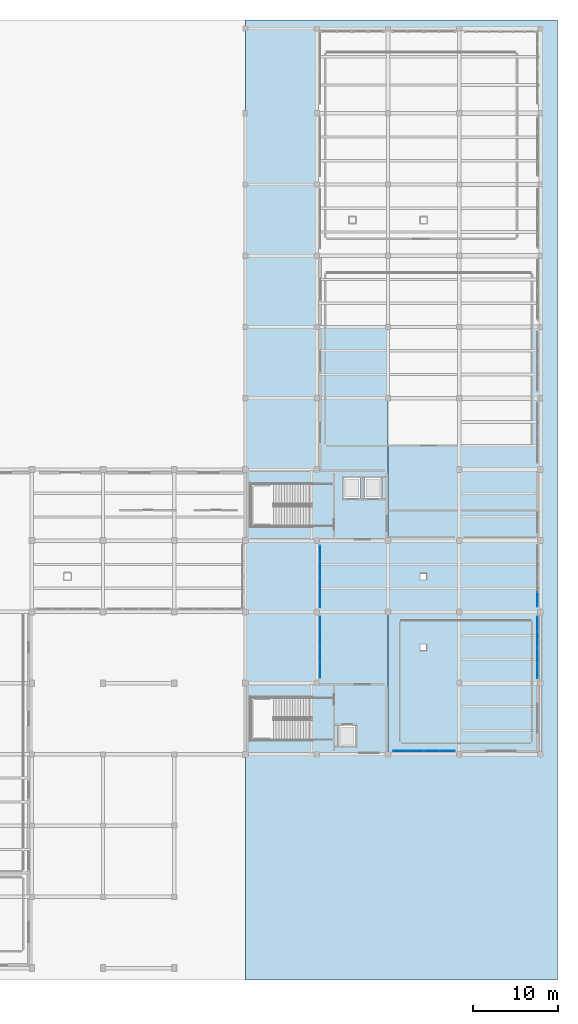
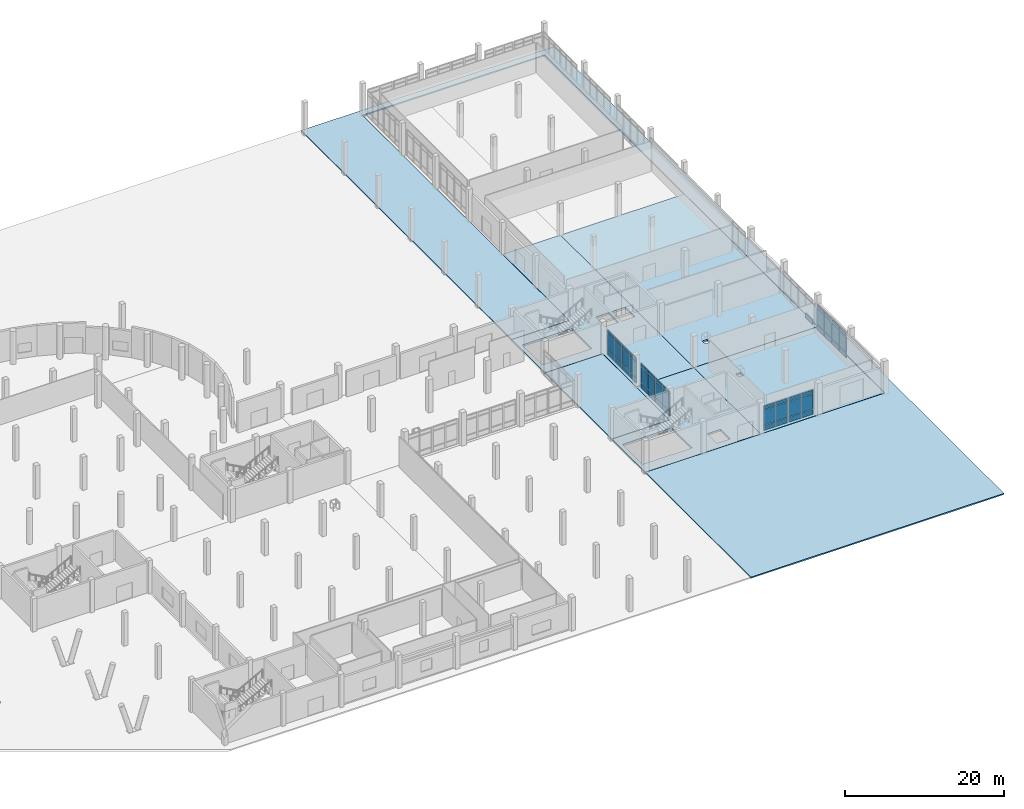
# One storey, part 40 of 64: 49 plates, 6 slabs, 9 elements without a shape of their own.
"""IFC4 building model written with IfcOpenShell, lengths in metres."""

from ifc_helpers import new_model, si_unit, derived_unit, direction, frame, origin, origin_2d, place, context, subcontext, project, spatial, polyline, rectangle, outline, extrude, material, layer, layer_set, type_object, element, aggregate, save


model = new_model("IFC4")

# Units and contexts
model_context = context("Model", 3, precision=1e-05, world=origin(), true_north=direction((0.0, 1.0)))
body_context = subcontext(model_context, "Body", "Model", "MODEL_VIEW")
ifc_project = project(units=[si_unit("LENGTHUNIT", "METRE"), si_unit("AREAUNIT", "SQUARE_METRE"), si_unit("VOLUMEUNIT", "CUBIC_METRE"), si_unit("PLANEANGLEUNIT", "RADIAN"), si_unit("MASSUNIT", "GRAM", prefix="KILO"), derived_unit("THERMALTRANSMITTANCEUNIT", [(si_unit("POWERUNIT", "WATT"), 1), (si_unit("LENGTHUNIT", "METRE"), -2), (si_unit("THERMODYNAMICTEMPERATUREUNIT", "KELVIN"), -1)])], contexts=[model_context])

# Site, building, storey
site_placement = place(None, origin())
site = spatial("IfcSite", under=ifc_project, at=site_placement, CompositionType="ELEMENT")
building_placement = place(site_placement, origin())
building = spatial("IfcBuilding", under=site, at=building_placement, Name="Elbkamm Science Centre", CompositionType="ELEMENT")
storey_placement = place(building_placement, origin())
storey = spatial("IfcBuildingStorey", under=building, at=storey_placement, Name="L00", CompositionType="ELEMENT", Elevation=0.0)

# Curtain wall, plate
ifc_material_1 = material(Name="Powder-coated aluminium and triple low-E glazing", Category="aluminium")
ifc_layer_1 = layer(ifc_material_1, 0.159912109375)
ifc_layer_set_1 = layer_set([ifc_layer_1], Name="Powder-coated aluminium and triple low-E glazing")
curtain_wall_type_1 = type_object("IfcCurtainWallType", Name="CW-UNIT-3640x3960", PredefinedType="USERDEFINED", material=ifc_layer_set_1)
curtain_wall_1_placement = place(storey_placement, origin())
curtain_wall_1 = element("IfcCurtainWall", 1, at=curtain_wall_1_placement, inside=storey, type_object=curtain_wall_type_1, Name="L00 Unitised Curtain Wall 127", ObjectType="UNITISED CURTAIN WALL", PredefinedType="USERDEFINED")
ifc_material_2 = material(Name="Triple solar-control insulated safety glass", Category="glass")
ifc_layer_2 = layer(ifc_material_2, 0.048095703125)
ifc_layer_set_2 = layer_set([ifc_layer_2], Name="Triple solar-control insulated safety glass")
plate_type = type_object("IfcPlateType", Name="CW-PNL-48", PredefinedType="CURTAIN_PANEL", material=ifc_layer_set_2)
plate_1_placement = place(storey_placement, frame((160.419921875, 43.476318359375, 0.06982421875), z_axis=(0.0, 0.0, 1.0), x_axis=(0.0, -1.0, 0.0)))
plate_1 = element("IfcPlate", 2, at=plate_1_placement, type_object=plate_type, Name="CW-063 panel 2.1", PredefinedType="CURTAIN_PANEL", context=body_context, shape_type="SweptSolid", body=[
    extrude(rectangle(XDim=1.716552734375, YDim=0.048095703125, at=origin_2d()), origin(), (0.0, 0.0, 1.0), 0.7451171875),
])
aggregate(curtain_wall_1, [plate_1])

# Curtain wall, plates
ifc_layer_3 = layer(ifc_material_1, 0.159912109375)
ifc_layer_set_3 = layer_set([ifc_layer_3], Name="Powder-coated aluminium and triple low-E glazing")
curtain_wall_type_2 = type_object("IfcCurtainWallType", Name="CW-UNIT-3680x3960", PredefinedType="USERDEFINED", material=ifc_layer_set_3)
curtain_wall_2_placement = place(storey_placement, origin())
curtain_wall_2 = element("IfcCurtainWall", 3, at=curtain_wall_2_placement, inside=storey, type_object=curtain_wall_type_2, Name="L00 Unitised Curtain Wall 128", ObjectType="UNITISED CURTAIN WALL", PredefinedType="USERDEFINED")
plate_2_placement = place(storey_placement, frame((160.419921875, 40.577880859375, 0.06982421875), z_axis=(0.0, 0.0, 1.0), x_axis=(0.0, -1.0, 0.0)))
plate_2 = element("IfcPlate", 4, at=plate_2_placement, type_object=plate_type, Name="CW-064 panel 1.1", PredefinedType="CURTAIN_PANEL", context=body_context, shape_type="SweptSolid", body=[
    extrude(rectangle(XDim=1.73193359375, YDim=0.048095703125, at=origin_2d()), origin(), (0.0, 0.0, 1.0), 0.7451171875),
])
plate_3_placement = place(storey_placement, frame((160.419921875, 40.577880859375, 0.885009765625), z_axis=(0.0, 0.0, 1.0), x_axis=(0.0, -1.0, 0.0)))
plate_3 = element("IfcPlate", 5, at=plate_3_placement, type_object=plate_type, Name="CW-064 panel 1.2", PredefinedType="CURTAIN_PANEL", context=body_context, shape_type="SweptSolid", body=[
    extrude(rectangle(XDim=1.73193359375, YDim=0.048095703125, at=origin_2d()), origin(), (0.0, 0.0, 1.0), 2.3798828125),
])
plate_4_placement = place(storey_placement, frame((160.419921875, 40.577880859375, 3.3349609375), z_axis=(0.0, 0.0, 1.0), x_axis=(0.0, -1.0, 0.0)))
plate_4 = element("IfcPlate", 6, at=plate_4_placement, type_object=plate_type, Name="CW-064 panel 1.3", PredefinedType="CURTAIN_PANEL", context=body_context, shape_type="SweptSolid", body=[
    extrude(rectangle(XDim=1.73193359375, YDim=0.048095703125, at=origin_2d()), origin(), (0.0, 0.0, 1.0), 0.544921875),
])
plate_5_placement = place(storey_placement, frame((160.419921875, 38.77587890625, 0.06982421875), z_axis=(0.0, 0.0, 1.0), x_axis=(0.0, -1.0, 0.0)))
plate_5 = element("IfcPlate", 7, at=plate_5_placement, type_object=plate_type, Name="CW-064 panel 2.1", PredefinedType="CURTAIN_PANEL", context=body_context, shape_type="SweptSolid", body=[
    extrude(rectangle(XDim=1.73193359375, YDim=0.048095703125, at=origin_2d()), origin(), (0.0, 0.0, 1.0), 0.7451171875),
])
plate_6_placement = place(storey_placement, frame((160.419921875, 38.77587890625, 0.885009765625), z_axis=(0.0, 0.0, 1.0), x_axis=(0.0, -1.0, 0.0)))
plate_6 = element("IfcPlate", 8, at=plate_6_placement, type_object=plate_type, Name="CW-064 panel 2.2", PredefinedType="CURTAIN_PANEL", context=body_context, shape_type="SweptSolid", body=[
    extrude(rectangle(XDim=1.73193359375, YDim=0.048095703125, at=origin_2d()), origin(), (0.0, 0.0, 1.0), 2.3798828125),
])
plate_7_placement = place(storey_placement, frame((160.419921875, 38.77587890625, 3.3349609375), z_axis=(0.0, 0.0, 1.0), x_axis=(0.0, -1.0, 0.0)))
plate_7 = element("IfcPlate", 9, at=plate_7_placement, type_object=plate_type, Name="CW-064 panel 2.3", PredefinedType="CURTAIN_PANEL", context=body_context, shape_type="SweptSolid", body=[
    extrude(rectangle(XDim=1.73193359375, YDim=0.048095703125, at=origin_2d()), origin(), (0.0, 0.0, 1.0), 0.544921875),
])
aggregate(curtain_wall_2, [plate_2, plate_3, plate_4, plate_5, plate_6, plate_7])

curtain_wall_3_placement = place(storey_placement, origin())
curtain_wall_3 = element("IfcCurtainWall", 10, at=curtain_wall_3_placement, inside=storey, type_object=curtain_wall_type_2, Name="L00 Unitised Curtain Wall 129", ObjectType="UNITISED CURTAIN WALL", PredefinedType="USERDEFINED")
plate_8_placement = place(storey_placement, frame((160.419921875, 36.823974609375, 0.06982421875), z_axis=(0.0, 0.0, 1.0), x_axis=(0.0, -1.0, 0.0)))
plate_8 = element("IfcPlate", 11, at=plate_8_placement, type_object=plate_type, Name="CW-064 panel 1.1", PredefinedType="CURTAIN_PANEL", context=body_context, shape_type="SweptSolid", body=[
    extrude(rectangle(XDim=1.73193359375, YDim=0.048095703125, at=origin_2d()), origin(), (0.0, 0.0, 1.0), 0.7451171875),
])
plate_9_placement = place(storey_placement, frame((160.419921875, 36.823974609375, 0.885009765625), z_axis=(0.0, 0.0, 1.0), x_axis=(0.0, -1.0, 0.0)))
plate_9 = element("IfcPlate", 12, at=plate_9_placement, type_object=plate_type, Name="CW-064 panel 1.2", PredefinedType="CURTAIN_PANEL", context=body_context, shape_type="SweptSolid", body=[
    extrude(rectangle(XDim=1.73193359375, YDim=0.048095703125, at=origin_2d()), origin(), (0.0, 0.0, 1.0), 2.3798828125),
])
plate_10_placement = place(storey_placement, frame((160.419921875, 36.823974609375, 3.3349609375), z_axis=(0.0, 0.0, 1.0), x_axis=(0.0, -1.0, 0.0)))
plate_10 = element("IfcPlate", 13, at=plate_10_placement, type_object=plate_type, Name="CW-064 panel 1.3", PredefinedType="CURTAIN_PANEL", context=body_context, shape_type="SweptSolid", body=[
    extrude(rectangle(XDim=1.73193359375, YDim=0.048095703125, at=origin_2d()), origin(), (0.0, 0.0, 1.0), 0.544921875),
])
plate_11_placement = place(storey_placement, frame((160.419921875, 35.022216796875, 0.06982421875), z_axis=(0.0, 0.0, 1.0), x_axis=(0.0, -1.0, 0.0)))
plate_11 = element("IfcPlate", 14, at=plate_11_placement, type_object=plate_type, Name="CW-064 panel 2.1", PredefinedType="CURTAIN_PANEL", context=body_context, shape_type="SweptSolid", body=[
    extrude(rectangle(XDim=1.73193359375, YDim=0.048095703125, at=origin_2d()), origin(), (0.0, 0.0, 1.0), 0.7451171875),
])
plate_12_placement = place(storey_placement, frame((160.419921875, 35.022216796875, 0.885009765625), z_axis=(0.0, 0.0, 1.0), x_axis=(0.0, -1.0, 0.0)))
plate_12 = element("IfcPlate", 15, at=plate_12_placement, type_object=plate_type, Name="CW-064 panel 2.2", PredefinedType="CURTAIN_PANEL", context=body_context, shape_type="SweptSolid", body=[
    extrude(rectangle(XDim=1.73193359375, YDim=0.048095703125, at=origin_2d()), origin(), (0.0, 0.0, 1.0), 2.3798828125),
])
plate_13_placement = place(storey_placement, frame((160.419921875, 35.022216796875, 3.3349609375), z_axis=(0.0, 0.0, 1.0), x_axis=(0.0, -1.0, 0.0)))
plate_13 = element("IfcPlate", 16, at=plate_13_placement, type_object=plate_type, Name="CW-064 panel 2.3", PredefinedType="CURTAIN_PANEL", context=body_context, shape_type="SweptSolid", body=[
    extrude(rectangle(XDim=1.73193359375, YDim=0.048095703125, at=origin_2d()), origin(), (0.0, 0.0, 1.0), 0.544921875),
])
aggregate(curtain_wall_3, [plate_8, plate_9, plate_10, plate_11, plate_12, plate_13])

ifc_layer_4 = layer(ifc_material_1, 0.159912109375)
ifc_layer_set_4 = layer_set([ifc_layer_4], Name="Powder-coated aluminium and triple low-E glazing")
curtain_wall_type_3 = type_object("IfcCurtainWallType", Name="CW-UNIT-3640x3900", PredefinedType="USERDEFINED", material=ifc_layer_set_4)
curtain_wall_4_placement = place(storey_placement, origin())
curtain_wall_4 = element("IfcCurtainWall", 17, at=curtain_wall_4_placement, inside=storey, type_object=curtain_wall_type_3, Name="L00 Unitised Curtain Wall 130", ObjectType="UNITISED CURTAIN WALL", PredefinedType="USERDEFINED")
plate_14_placement = place(storey_placement, frame((149.78564453125, 25.580078125, 0.06982421875), z_axis=(0.0, 0.0, 1.0), x_axis=(-1.0, 0.0, 0.0)))
plate_14 = element("IfcPlate", 18, at=plate_14_placement, type_object=plate_type, Name="CW-065 panel 1.1", PredefinedType="CURTAIN_PANEL", context=body_context, shape_type="SweptSolid", body=[
    extrude(rectangle(XDim=1.716064453125, YDim=0.048095703125, at=origin_2d()), origin(), (0.0, 0.0, 1.0), 0.7451171875),
])
plate_15_placement = place(storey_placement, frame((149.78564453125, 25.580078125, 0.885009765625), z_axis=(0.0, 0.0, 1.0), x_axis=(-1.0, 0.0, 0.0)))
plate_15 = element("IfcPlate", 19, at=plate_15_placement, type_object=plate_type, Name="CW-065 panel 1.2", PredefinedType="CURTAIN_PANEL", context=body_context, shape_type="SweptSolid", body=[
    extrude(rectangle(XDim=1.716064453125, YDim=0.048095703125, at=origin_2d()), origin(), (0.0, 0.0, 1.0), 2.330078125),
])
plate_16_placement = place(storey_placement, frame((149.78564453125, 25.580078125, 3.28515625), z_axis=(0.0, 0.0, 1.0), x_axis=(-1.0, 0.0, 0.0)))
plate_16 = element("IfcPlate", 20, at=plate_16_placement, type_object=plate_type, Name="CW-065 panel 1.3", PredefinedType="CURTAIN_PANEL", context=body_context, shape_type="SweptSolid", body=[
    extrude(rectangle(XDim=1.716064453125, YDim=0.048095703125, at=origin_2d()), origin(), (0.0, 0.0, 1.0), 0.544921875),
])
plate_17_placement = place(storey_placement, frame((147.999755859375, 25.580078125, 0.06982421875), z_axis=(0.0, 0.0, 1.0), x_axis=(-1.0, 0.0, 0.0)))
plate_17 = element("IfcPlate", 21, at=plate_17_placement, type_object=plate_type, Name="CW-065 panel 2.1", PredefinedType="CURTAIN_PANEL", context=body_context, shape_type="SweptSolid", body=[
    extrude(rectangle(XDim=1.716064453125, YDim=0.048095703125, at=origin_2d()), origin(), (0.0, 0.0, 1.0), 0.7451171875),
])
plate_18_placement = place(storey_placement, frame((147.999755859375, 25.580078125, 0.885009765625), z_axis=(0.0, 0.0, 1.0), x_axis=(-1.0, 0.0, 0.0)))
plate_18 = element("IfcPlate", 22, at=plate_18_placement, type_object=plate_type, Name="CW-065 panel 2.2", PredefinedType="CURTAIN_PANEL", context=body_context, shape_type="SweptSolid", body=[
    extrude(rectangle(XDim=1.716064453125, YDim=0.048095703125, at=origin_2d()), origin(), (0.0, 0.0, 1.0), 2.330078125),
])
plate_19_placement = place(storey_placement, frame((147.999755859375, 25.580078125, 3.28515625), z_axis=(0.0, 0.0, 1.0), x_axis=(-1.0, 0.0, 0.0)))
plate_19 = element("IfcPlate", 23, at=plate_19_placement, type_object=plate_type, Name="CW-065 panel 2.3", PredefinedType="CURTAIN_PANEL", context=body_context, shape_type="SweptSolid", body=[
    extrude(rectangle(XDim=1.716064453125, YDim=0.048095703125, at=origin_2d()), origin(), (0.0, 0.0, 1.0), 0.544921875),
])
aggregate(curtain_wall_4, [plate_14, plate_15, plate_16, plate_17, plate_18, plate_19])

curtain_wall_5_placement = place(storey_placement, origin())
curtain_wall_5 = element("IfcCurtainWall", 24, at=curtain_wall_5_placement, inside=storey, type_object=curtain_wall_type_3, Name="L00 Unitised Curtain Wall 131", ObjectType="UNITISED CURTAIN WALL", PredefinedType="USERDEFINED")
plate_20_placement = place(storey_placement, frame((146.06396484375, 25.580078125, 0.06982421875), z_axis=(0.0, 0.0, 1.0), x_axis=(-1.0, 0.0, 0.0)))
plate_20 = element("IfcPlate", 25, at=plate_20_placement, type_object=plate_type, Name="CW-065 panel 1.1", PredefinedType="CURTAIN_PANEL", context=body_context, shape_type="SweptSolid", body=[
    extrude(rectangle(XDim=1.7158203125, YDim=0.048095703125, at=origin_2d()), origin(), (0.0, 0.0, 1.0), 0.7451171875),
])
plate_21_placement = place(storey_placement, frame((146.06396484375, 25.580078125, 0.885009765625), z_axis=(0.0, 0.0, 1.0), x_axis=(-1.0, 0.0, 0.0)))
plate_21 = element("IfcPlate", 26, at=plate_21_placement, type_object=plate_type, Name="CW-065 panel 1.2", PredefinedType="CURTAIN_PANEL", context=body_context, shape_type="SweptSolid", body=[
    extrude(rectangle(XDim=1.7158203125, YDim=0.048095703125, at=origin_2d()), origin(), (0.0, 0.0, 1.0), 2.330078125),
])
plate_22_placement = place(storey_placement, frame((146.06396484375, 25.580078125, 3.28515625), z_axis=(0.0, 0.0, 1.0), x_axis=(-1.0, 0.0, 0.0)))
plate_22 = element("IfcPlate", 27, at=plate_22_placement, type_object=plate_type, Name="CW-065 panel 1.3", PredefinedType="CURTAIN_PANEL", context=body_context, shape_type="SweptSolid", body=[
    extrude(rectangle(XDim=1.7158203125, YDim=0.048095703125, at=origin_2d()), origin(), (0.0, 0.0, 1.0), 0.544921875),
])
plate_23_placement = place(storey_placement, frame((144.27783203125, 25.580078125, 0.06982421875), z_axis=(0.0, 0.0, 1.0), x_axis=(-1.0, 0.0, 0.0)))
plate_23 = element("IfcPlate", 28, at=plate_23_placement, type_object=plate_type, Name="CW-065 panel 2.1", PredefinedType="CURTAIN_PANEL", context=body_context, shape_type="SweptSolid", body=[
    extrude(rectangle(XDim=1.7158203125, YDim=0.048095703125, at=origin_2d()), origin(), (0.0, 0.0, 1.0), 0.7451171875),
])
plate_24_placement = place(storey_placement, frame((144.27783203125, 25.580078125, 0.885009765625), z_axis=(0.0, 0.0, 1.0), x_axis=(-1.0, 0.0, 0.0)))
plate_24 = element("IfcPlate", 29, at=plate_24_placement, type_object=plate_type, Name="CW-065 panel 2.2", PredefinedType="CURTAIN_PANEL", context=body_context, shape_type="SweptSolid", body=[
    extrude(rectangle(XDim=1.7158203125, YDim=0.048095703125, at=origin_2d()), origin(), (0.0, 0.0, 1.0), 2.330078125),
])
plate_25_placement = place(storey_placement, frame((144.27783203125, 25.580078125, 3.28515625), z_axis=(0.0, 0.0, 1.0), x_axis=(-1.0, 0.0, 0.0)))
plate_25 = element("IfcPlate", 30, at=plate_25_placement, type_object=plate_type, Name="CW-065 panel 2.3", PredefinedType="CURTAIN_PANEL", context=body_context, shape_type="SweptSolid", body=[
    extrude(rectangle(XDim=1.7158203125, YDim=0.048095703125, at=origin_2d()), origin(), (0.0, 0.0, 1.0), 0.544921875),
])
aggregate(curtain_wall_5, [plate_20, plate_21, plate_22, plate_23, plate_24, plate_25])

curtain_wall_6_placement = place(storey_placement, origin())
curtain_wall_6 = element("IfcCurtainWall", 31, at=curtain_wall_6_placement, inside=storey, type_object=curtain_wall_type_1, Name="L00 Unitised Curtain Wall 132", ObjectType="UNITISED CURTAIN WALL", PredefinedType="USERDEFINED")
plate_26_placement = place(storey_placement, frame((134.780029296875, 35.077880859375, 0.06982421875), z_axis=(0.0, 0.0, 1.0), x_axis=(0.0, 1.0, 0.0)))
plate_26 = element("IfcPlate", 32, at=plate_26_placement, type_object=plate_type, Name="CW-063 panel 1.1", PredefinedType="CURTAIN_PANEL", context=body_context, shape_type="SweptSolid", body=[
    extrude(rectangle(XDim=1.716064453125, YDim=0.048095703125, at=origin_2d()), origin(), (0.0, 0.0, 1.0), 0.7451171875),
])
plate_27_placement = place(storey_placement, frame((134.780029296875, 35.077880859375, 0.885009765625), z_axis=(0.0, 0.0, 1.0), x_axis=(0.0, 1.0, 0.0)))
plate_27 = element("IfcPlate", 33, at=plate_27_placement, type_object=plate_type, Name="CW-063 panel 1.2", PredefinedType="CURTAIN_PANEL", context=body_context, shape_type="SweptSolid", body=[
    extrude(rectangle(XDim=1.716064453125, YDim=0.048095703125, at=origin_2d()), origin(), (0.0, 0.0, 1.0), 2.3798828125),
])
plate_28_placement = place(storey_placement, frame((134.780029296875, 35.077880859375, 3.3349609375), z_axis=(0.0, 0.0, 1.0), x_axis=(0.0, 1.0, 0.0)))
plate_28 = element("IfcPlate", 34, at=plate_28_placement, type_object=plate_type, Name="CW-063 panel 1.3", PredefinedType="CURTAIN_PANEL", context=body_context, shape_type="SweptSolid", body=[
    extrude(rectangle(XDim=1.716064453125, YDim=0.048095703125, at=origin_2d()), origin(), (0.0, 0.0, 1.0), 0.544921875),
])
plate_29_placement = place(storey_placement, frame((134.780029296875, 36.864013671875, 0.06982421875), z_axis=(0.0, 0.0, 1.0), x_axis=(0.0, 1.0, 0.0)))
plate_29 = element("IfcPlate", 35, at=plate_29_placement, type_object=plate_type, Name="CW-063 panel 2.1", PredefinedType="CURTAIN_PANEL", context=body_context, shape_type="SweptSolid", body=[
    extrude(rectangle(XDim=1.716064453125, YDim=0.048095703125, at=origin_2d()), origin(), (0.0, 0.0, 1.0), 0.7451171875),
])
plate_30_placement = place(storey_placement, frame((134.780029296875, 36.864013671875, 0.885009765625), z_axis=(0.0, 0.0, 1.0), x_axis=(0.0, 1.0, 0.0)))
plate_30 = element("IfcPlate", 36, at=plate_30_placement, type_object=plate_type, Name="CW-063 panel 2.2", PredefinedType="CURTAIN_PANEL", context=body_context, shape_type="SweptSolid", body=[
    extrude(rectangle(XDim=1.716064453125, YDim=0.048095703125, at=origin_2d()), origin(), (0.0, 0.0, 1.0), 2.3798828125),
])
plate_31_placement = place(storey_placement, frame((134.780029296875, 36.864013671875, 3.3349609375), z_axis=(0.0, 0.0, 1.0), x_axis=(0.0, 1.0, 0.0)))
plate_31 = element("IfcPlate", 37, at=plate_31_placement, type_object=plate_type, Name="CW-063 panel 2.3", PredefinedType="CURTAIN_PANEL", context=body_context, shape_type="SweptSolid", body=[
    extrude(rectangle(XDim=1.716064453125, YDim=0.048095703125, at=origin_2d()), origin(), (0.0, 0.0, 1.0), 0.544921875),
])
aggregate(curtain_wall_6, [plate_26, plate_27, plate_28, plate_29, plate_30, plate_31])

curtain_wall_7_placement = place(storey_placement, origin())
curtain_wall_7 = element("IfcCurtainWall", 38, at=curtain_wall_7_placement, inside=storey, type_object=curtain_wall_type_1, Name="L00 Unitised Curtain Wall 133", ObjectType="UNITISED CURTAIN WALL", PredefinedType="USERDEFINED")
plate_32_placement = place(storey_placement, frame((134.780029296875, 38.7998046875, 0.06982421875), z_axis=(0.0, 0.0, 1.0), x_axis=(0.0, 1.0, 0.0)))
plate_32 = element("IfcPlate", 39, at=plate_32_placement, type_object=plate_type, Name="CW-063 panel 1.1", PredefinedType="CURTAIN_PANEL", context=body_context, shape_type="SweptSolid", body=[
    extrude(rectangle(XDim=1.7158203125, YDim=0.048095703125, at=origin_2d()), origin(), (0.0, 0.0, 1.0), 0.7451171875),
])
plate_33_placement = place(storey_placement, frame((134.780029296875, 38.7998046875, 0.885009765625), z_axis=(0.0, 0.0, 1.0), x_axis=(0.0, 1.0, 0.0)))
plate_33 = element("IfcPlate", 40, at=plate_33_placement, type_object=plate_type, Name="CW-063 panel 1.2", PredefinedType="CURTAIN_PANEL", context=body_context, shape_type="SweptSolid", body=[
    extrude(rectangle(XDim=1.7158203125, YDim=0.048095703125, at=origin_2d()), origin(), (0.0, 0.0, 1.0), 2.3798828125),
])
plate_34_placement = place(storey_placement, frame((134.780029296875, 38.7998046875, 3.3349609375), z_axis=(0.0, 0.0, 1.0), x_axis=(0.0, 1.0, 0.0)))
plate_34 = element("IfcPlate", 41, at=plate_34_placement, type_object=plate_type, Name="CW-063 panel 1.3", PredefinedType="CURTAIN_PANEL", context=body_context, shape_type="SweptSolid", body=[
    extrude(rectangle(XDim=1.7158203125, YDim=0.048095703125, at=origin_2d()), origin(), (0.0, 0.0, 1.0), 0.544921875),
])
plate_35_placement = place(storey_placement, frame((134.780029296875, 40.585693359375, 0.06982421875), z_axis=(0.0, 0.0, 1.0), x_axis=(0.0, 1.0, 0.0)))
plate_35 = element("IfcPlate", 42, at=plate_35_placement, type_object=plate_type, Name="CW-063 panel 2.1", PredefinedType="CURTAIN_PANEL", context=body_context, shape_type="SweptSolid", body=[
    extrude(rectangle(XDim=1.7158203125, YDim=0.048095703125, at=origin_2d()), origin(), (0.0, 0.0, 1.0), 0.7451171875),
])
plate_36_placement = place(storey_placement, frame((134.780029296875, 40.585693359375, 0.885009765625), z_axis=(0.0, 0.0, 1.0), x_axis=(0.0, 1.0, 0.0)))
plate_36 = element("IfcPlate", 43, at=plate_36_placement, type_object=plate_type, Name="CW-063 panel 2.2", PredefinedType="CURTAIN_PANEL", context=body_context, shape_type="SweptSolid", body=[
    extrude(rectangle(XDim=1.7158203125, YDim=0.048095703125, at=origin_2d()), origin(), (0.0, 0.0, 1.0), 2.3798828125),
])
plate_37_placement = place(storey_placement, frame((134.780029296875, 40.585693359375, 3.3349609375), z_axis=(0.0, 0.0, 1.0), x_axis=(0.0, 1.0, 0.0)))
plate_37 = element("IfcPlate", 44, at=plate_37_placement, type_object=plate_type, Name="CW-063 panel 2.3", PredefinedType="CURTAIN_PANEL", context=body_context, shape_type="SweptSolid", body=[
    extrude(rectangle(XDim=1.7158203125, YDim=0.048095703125, at=origin_2d()), origin(), (0.0, 0.0, 1.0), 0.544921875),
])
aggregate(curtain_wall_7, [plate_32, plate_33, plate_34, plate_35, plate_36, plate_37])

curtain_wall_8_placement = place(storey_placement, origin())
curtain_wall_8 = element("IfcCurtainWall", 45, at=curtain_wall_8_placement, inside=storey, type_object=curtain_wall_type_1, Name="L00 Unitised Curtain Wall 134", ObjectType="UNITISED CURTAIN WALL", PredefinedType="USERDEFINED")
plate_38_placement = place(storey_placement, frame((134.780029296875, 43.414306640625, 0.06982421875), z_axis=(0.0, 0.0, 1.0), x_axis=(0.0, 1.0, 0.0)))
plate_38 = element("IfcPlate", 46, at=plate_38_placement, type_object=plate_type, Name="CW-063 panel 1.1", PredefinedType="CURTAIN_PANEL", context=body_context, shape_type="SweptSolid", body=[
    extrude(rectangle(XDim=1.7158203125, YDim=0.048095703125, at=origin_2d()), origin(), (0.0, 0.0, 1.0), 0.7451171875),
])
plate_39_placement = place(storey_placement, frame((134.780029296875, 43.414306640625, 0.885009765625), z_axis=(0.0, 0.0, 1.0), x_axis=(0.0, 1.0, 0.0)))
plate_39 = element("IfcPlate", 47, at=plate_39_placement, type_object=plate_type, Name="CW-063 panel 1.2", PredefinedType="CURTAIN_PANEL", context=body_context, shape_type="SweptSolid", body=[
    extrude(rectangle(XDim=1.7158203125, YDim=0.048095703125, at=origin_2d()), origin(), (0.0, 0.0, 1.0), 2.3798828125),
])
plate_40_placement = place(storey_placement, frame((134.780029296875, 43.414306640625, 3.3349609375), z_axis=(0.0, 0.0, 1.0), x_axis=(0.0, 1.0, 0.0)))
plate_40 = element("IfcPlate", 48, at=plate_40_placement, type_object=plate_type, Name="CW-063 panel 1.3", PredefinedType="CURTAIN_PANEL", context=body_context, shape_type="SweptSolid", body=[
    extrude(rectangle(XDim=1.7158203125, YDim=0.048095703125, at=origin_2d()), origin(), (0.0, 0.0, 1.0), 0.544921875),
])
plate_41_placement = place(storey_placement, frame((134.780029296875, 45.2001953125, 0.06982421875), z_axis=(0.0, 0.0, 1.0), x_axis=(0.0, 1.0, 0.0)))
plate_41 = element("IfcPlate", 49, at=plate_41_placement, type_object=plate_type, Name="CW-063 panel 2.1", PredefinedType="CURTAIN_PANEL", context=body_context, shape_type="SweptSolid", body=[
    extrude(rectangle(XDim=1.7158203125, YDim=0.048095703125, at=origin_2d()), origin(), (0.0, 0.0, 1.0), 0.7451171875),
])
plate_42_placement = place(storey_placement, frame((134.780029296875, 45.2001953125, 0.885009765625), z_axis=(0.0, 0.0, 1.0), x_axis=(0.0, 1.0, 0.0)))
plate_42 = element("IfcPlate", 50, at=plate_42_placement, type_object=plate_type, Name="CW-063 panel 2.2", PredefinedType="CURTAIN_PANEL", context=body_context, shape_type="SweptSolid", body=[
    extrude(rectangle(XDim=1.7158203125, YDim=0.048095703125, at=origin_2d()), origin(), (0.0, 0.0, 1.0), 2.3798828125),
])
plate_43_placement = place(storey_placement, frame((134.780029296875, 45.2001953125, 3.3349609375), z_axis=(0.0, 0.0, 1.0), x_axis=(0.0, 1.0, 0.0)))
plate_43 = element("IfcPlate", 51, at=plate_43_placement, type_object=plate_type, Name="CW-063 panel 2.3", PredefinedType="CURTAIN_PANEL", context=body_context, shape_type="SweptSolid", body=[
    extrude(rectangle(XDim=1.7158203125, YDim=0.048095703125, at=origin_2d()), origin(), (0.0, 0.0, 1.0), 0.544921875),
])
aggregate(curtain_wall_8, [plate_38, plate_39, plate_40, plate_41, plate_42, plate_43])

curtain_wall_9_placement = place(storey_placement, origin())
curtain_wall_9 = element("IfcCurtainWall", 52, at=curtain_wall_9_placement, inside=storey, type_object=curtain_wall_type_1, Name="L00 Unitised Curtain Wall 135", ObjectType="UNITISED CURTAIN WALL", PredefinedType="USERDEFINED")
plate_44_placement = place(storey_placement, frame((134.780029296875, 47.135986328125, 0.06982421875), z_axis=(0.0, 0.0, 1.0), x_axis=(0.0, 1.0, 0.0)))
plate_44 = element("IfcPlate", 53, at=plate_44_placement, type_object=plate_type, Name="CW-063 panel 1.1", PredefinedType="CURTAIN_PANEL", context=body_context, shape_type="SweptSolid", body=[
    extrude(rectangle(XDim=1.716064453125, YDim=0.048095703125, at=origin_2d()), origin(), (0.0, 0.0, 1.0), 0.7451171875),
])
plate_45_placement = place(storey_placement, frame((134.780029296875, 47.135986328125, 0.885009765625), z_axis=(0.0, 0.0, 1.0), x_axis=(0.0, 1.0, 0.0)))
plate_45 = element("IfcPlate", 54, at=plate_45_placement, type_object=plate_type, Name="CW-063 panel 1.2", PredefinedType="CURTAIN_PANEL", context=body_context, shape_type="SweptSolid", body=[
    extrude(rectangle(XDim=1.716064453125, YDim=0.048095703125, at=origin_2d()), origin(), (0.0, 0.0, 1.0), 2.3798828125),
])
plate_46_placement = place(storey_placement, frame((134.780029296875, 47.135986328125, 3.3349609375), z_axis=(0.0, 0.0, 1.0), x_axis=(0.0, 1.0, 0.0)))
plate_46 = element("IfcPlate", 55, at=plate_46_placement, type_object=plate_type, Name="CW-063 panel 1.3", PredefinedType="CURTAIN_PANEL", context=body_context, shape_type="SweptSolid", body=[
    extrude(rectangle(XDim=1.716064453125, YDim=0.048095703125, at=origin_2d()), origin(), (0.0, 0.0, 1.0), 0.544921875),
])
plate_47_placement = place(storey_placement, frame((134.780029296875, 48.922119140625, 0.06982421875), z_axis=(0.0, 0.0, 1.0), x_axis=(0.0, 1.0, 0.0)))
plate_47 = element("IfcPlate", 56, at=plate_47_placement, type_object=plate_type, Name="CW-063 panel 2.1", PredefinedType="CURTAIN_PANEL", context=body_context, shape_type="SweptSolid", body=[
    extrude(rectangle(XDim=1.716064453125, YDim=0.048095703125, at=origin_2d()), origin(), (0.0, 0.0, 1.0), 0.7451171875),
])
plate_48_placement = place(storey_placement, frame((134.780029296875, 48.922119140625, 0.885009765625), z_axis=(0.0, 0.0, 1.0), x_axis=(0.0, 1.0, 0.0)))
plate_48 = element("IfcPlate", 57, at=plate_48_placement, type_object=plate_type, Name="CW-063 panel 2.2", PredefinedType="CURTAIN_PANEL", context=body_context, shape_type="SweptSolid", body=[
    extrude(rectangle(XDim=1.716064453125, YDim=0.048095703125, at=origin_2d()), origin(), (0.0, 0.0, 1.0), 2.3798828125),
])
plate_49_placement = place(storey_placement, frame((134.780029296875, 48.922119140625, 3.3349609375), z_axis=(0.0, 0.0, 1.0), x_axis=(0.0, 1.0, 0.0)))
plate_49 = element("IfcPlate", 58, at=plate_49_placement, type_object=plate_type, Name="CW-063 panel 2.3", PredefinedType="CURTAIN_PANEL", context=body_context, shape_type="SweptSolid", body=[
    extrude(rectangle(XDim=1.716064453125, YDim=0.048095703125, at=origin_2d()), origin(), (0.0, 0.0, 1.0), 0.544921875),
])
aggregate(curtain_wall_9, [plate_44, plate_45, plate_46, plate_47, plate_48, plate_49])

# Slabs
ifc_material_3 = material(Name="Reinforced concrete C40/50", Category="concrete")
ifc_layer_5 = layer(ifc_material_3, 0.300048828125)
ifc_layer_set_5 = layer_set([ifc_layer_5], Name="Reinforced concrete C40/50")
slab_type_1 = type_object("IfcSlabType", Name="SLAB-FLR-300", PredefinedType="FLOOR", material=ifc_layer_set_5)
slab_1_placement = place(storey_placement, frame((0.0, 0.0, -0.300048828125)))
element("IfcSlab", 59, at=slab_1_placement, inside=storey, type_object=slab_type_1, Name="L00 Structural Slab E1S-08", PredefinedType="FLOOR", context=body_context, shape_type="SweptSolid", body=[
    extrude(outline(polyline([(134.39990234375, 25.199951171875), (126.02490234375, 25.199951171875), (126.02490234375, 33.60009765625), (134.39990234375, 33.60009765625), (134.39990234375, 42.0), (142.800048828125, 42.0), (142.800048828125, 25.199951171875), (134.39990234375, 25.199951171875)]), holes=[polyline([(126.60009765625, 26.8798828125), (133.780029296875, 26.8798828125), (133.780029296875, 31.919921875), (126.60009765625, 31.919921875), (126.60009765625, 26.8798828125)]), polyline([(137.050048828125, 26.199951171875), (138.949951171875, 26.199951171875), (138.949951171875, 28.60009765625), (137.050048828125, 28.60009765625), (137.050048828125, 26.199951171875)])]), origin(), (0.0, 0.0, 1.0), 0.300048828125),
])
slab_2_placement = place(storey_placement, frame((0.0, 0.0, -0.300048828125)))
element("IfcSlab", 60, at=slab_2_placement, inside=storey, type_object=slab_type_1, Name="L00 Structural Slab E1M-09", PredefinedType="FLOOR", context=body_context, shape_type="SweptSolid", body=[
    extrude(outline(polyline([(134.39990234375, 75.60009765625), (142.800048828125, 75.60009765625), (142.800048828125, 42.0), (134.39990234375, 42.0), (134.39990234375, 50.39990234375), (126.02490234375, 50.39990234375), (126.02490234375, 58.800048828125), (134.39990234375, 58.800048828125), (134.39990234375, 75.60009765625)]), holes=[polyline([(126.60009765625, 57.1201171875), (126.60009765625, 52.080078125), (133.780029296875, 52.080078125), (133.780029296875, 57.1201171875), (126.60009765625, 57.1201171875)]), polyline([(137.64990234375, 57.800048828125), (137.64990234375, 55.39990234375), (139.550048828125, 55.39990234375), (139.550048828125, 57.800048828125), (137.64990234375, 57.800048828125)]), polyline([(141.949951171875, 57.800048828125), (140.050048828125, 57.800048828125), (140.050048828125, 55.39990234375), (141.949951171875, 55.39990234375), (141.949951171875, 57.800048828125)])]), origin(), (0.0, 0.0, 1.0), 0.300048828125),
])
slab_3_placement = place(storey_placement, frame((0.0, 0.0, -0.300048828125)))
element("IfcSlab", 61, at=slab_3_placement, inside=storey, type_object=slab_type_1, Name="L00 Structural Slab E2S-11", PredefinedType="FLOOR", context=body_context, shape_type="SweptSolid", body=[
    extrude(outline(polyline([(142.800048828125, 25.199951171875), (142.800048828125, 42.0), (160.800048828125, 42.0), (160.800048828125, 25.199951171875), (142.800048828125, 25.199951171875)]), holes=[polyline([(147.35009765625, 38.14990234375), (146.64990234375, 38.14990234375), (146.64990234375, 37.449951171875), (147.35009765625, 37.449951171875), (147.35009765625, 38.14990234375)])]), origin(), (0.0, 0.0, 1.0), 0.300048828125),
])
slab_4_placement = place(storey_placement, frame((0.0, 0.0, -0.300048828125)))
element("IfcSlab", 62, at=slab_4_placement, inside=storey, type_object=slab_type_1, Name="L00 Structural Slab E2M-12", PredefinedType="FLOOR", context=body_context, shape_type="SweptSolid", body=[
    extrude(outline(polyline([(142.800048828125, 42.0), (142.800048828125, 75.60009765625), (160.800048828125, 75.60009765625), (160.800048828125, 42.0), (142.800048828125, 42.0)]), holes=[polyline([(147.35009765625, 46.550048828125), (146.64990234375, 46.550048828125), (146.64990234375, 45.85009765625), (147.35009765625, 45.85009765625), (147.35009765625, 46.550048828125)])]), origin(), (0.0, 0.0, 1.0), 0.300048828125),
])
ifc_material_4 = material(Name="Exposed freeze-thaw concrete C35/45", Category="concrete")
ifc_layer_6 = layer(ifc_material_4, 0.18994140625)
ifc_layer_set_6 = layer_set([ifc_layer_6], Name="Exposed freeze-thaw concrete C35/45")
slab_type_2 = type_object("IfcSlabType", Name="SLAB-PAV-190", PredefinedType="FLOOR", material=ifc_layer_set_6)
slab_5_placement = place(storey_placement, frame((0.0, 0.0, -0.18994140625)))
element("IfcSlab", 63, at=slab_5_placement, inside=storey, type_object=slab_type_2, Name="Quay Promenade and Forecourt Plaza Paving 02", PredefinedType="FLOOR", context=body_context, shape_type="SweptSolid", body=[
    extrude(outline(polyline([(162.800048828125, -1.39990234375), (126.02490234375, -1.39990234375), (126.02490234375, 25.179931640625), (142.800048828125, 25.179931640625), (160.800048828125, 25.179931640625), (160.802001953125, 25.18017578125), (160.803955078125, 25.180419921875), (160.805908203125, 25.180908203125), (160.8076171875, 25.181396484375), (160.809326171875, 25.182373046875), (160.81103515625, 25.183349609375), (160.812744140625, 25.1845703125), (160.814208984375, 25.185791015625), (160.8154296875, 25.187255859375), (160.816650390625, 25.18896484375), (160.817626953125, 25.190673828125), (160.818603515625, 25.1923828125), (160.819091796875, 25.194091796875), (160.819580078125, 25.196044921875), (160.81982421875, 25.197998046875), (160.820068359375, 25.199951171875), (160.820068359375, 110.800048828125), (160.81982421875, 110.802001953125), (160.819580078125, 110.803955078125), (160.819091796875, 110.805908203125), (160.818603515625, 110.8076171875), (160.817626953125, 110.809326171875), (160.816650390625, 110.81103515625), (160.8154296875, 110.812744140625), (160.814208984375, 110.814208984375), (160.812744140625, 110.8154296875), (160.81103515625, 110.816650390625), (160.809326171875, 110.817626953125), (160.8076171875, 110.818603515625), (160.805908203125, 110.819091796875), (160.803955078125, 110.819580078125), (160.802001953125, 110.81982421875), (160.800048828125, 110.820068359375), (134.39990234375, 110.820068359375), (134.39794921875, 110.81982421875), (134.39599609375, 110.819580078125), (134.394287109375, 110.819091796875), (134.392333984375, 110.818603515625), (134.390625, 110.817626953125), (134.388916015625, 110.816650390625), (134.38720703125, 110.8154296875), (134.385986328125, 110.814208984375), (134.384521484375, 110.812744140625), (134.38330078125, 110.81103515625), (134.38232421875, 110.809326171875), (134.381591796875, 110.8076171875), (134.380859375, 110.805908203125), (134.38037109375, 110.803955078125), (134.380126953125, 110.802001953125), (134.3798828125, 110.800048828125), (134.3798828125, 58.820068359375), (126.02490234375, 58.820068359375), (126.02490234375, 111.800048828125), (162.800048828125, 111.800048828125), (162.800048828125, -1.39990234375)])), origin(), (0.0, 0.0, 1.0), 0.18994140625),
])
slab_6_placement = place(storey_placement, frame((0.0, 0.0, -0.18994140625)))
element("IfcSlab", 64, at=slab_6_placement, inside=storey, type_object=slab_type_2, Name="Quay Promenade and Forecourt Plaza Paving 03", PredefinedType="FLOOR", context=body_context, shape_type="SweptSolid", body=[
    extrude(outline(polyline([(134.3798828125, 50.3798828125), (134.3798828125, 33.6201171875), (126.02490234375, 33.6201171875), (126.02490234375, 50.3798828125), (134.3798828125, 50.3798828125)])), origin(), (0.0, 0.0, 1.0), 0.18994140625),
])

save(model, "model.ifc")
